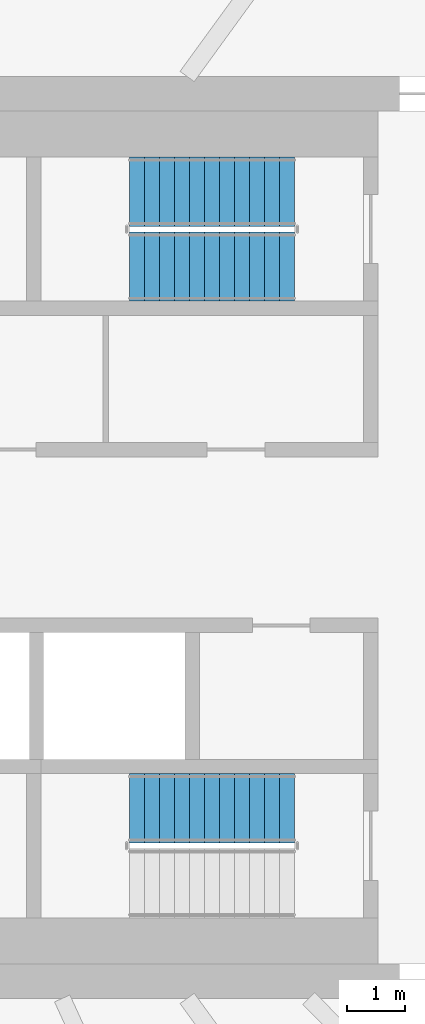
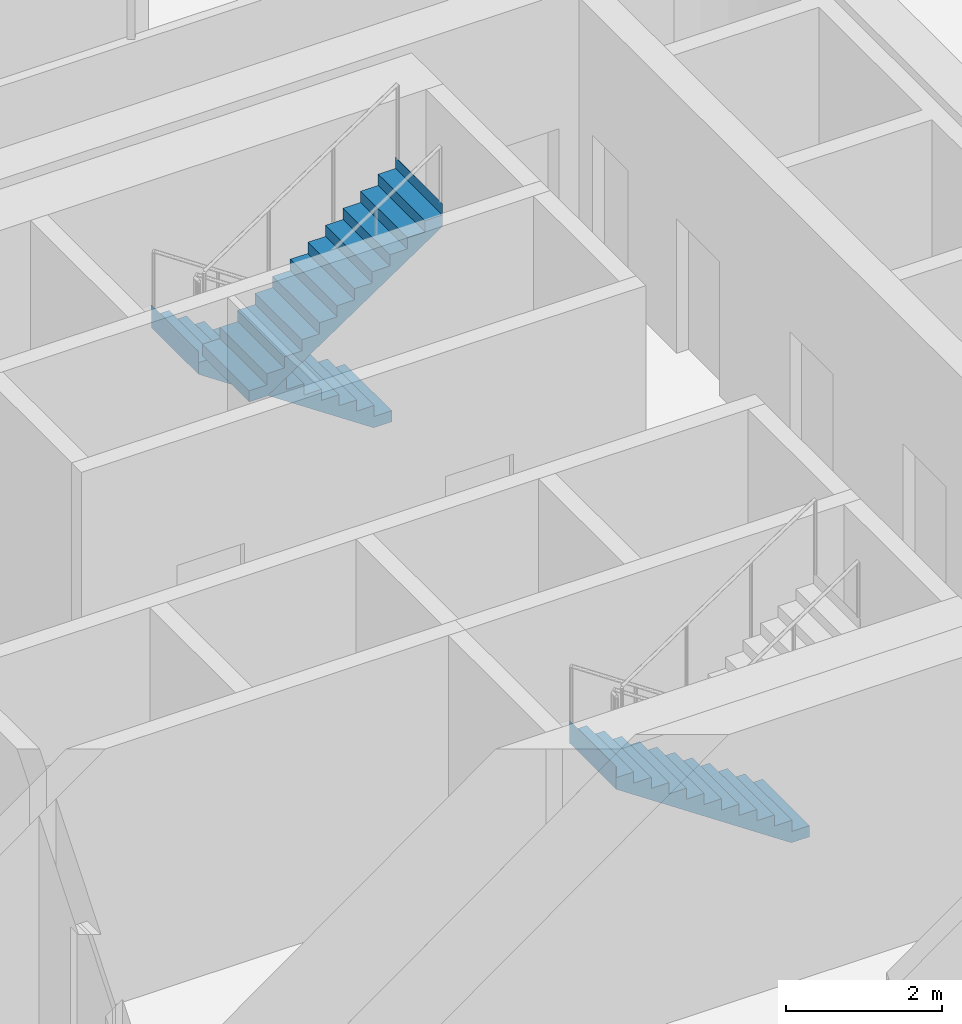
# One storey, part 18 of 25: 3 stair flights, 2 elements without a shape of their own.
"""IFC4 building model written with IfcOpenShell, lengths in metres."""

from ifc_helpers import new_model, si_unit, direction, frame, origin, place, context, subcontext, project, spatial, triangles, material, type_object, element, aggregate, save


model = new_model("IFC4")

# Units and contexts
model_context = context("Model", 3, precision=1e-05, world=origin(), true_north=direction((0.0, 1.0)))
body_context = subcontext(model_context, "Body", "Model", "MODEL_VIEW")
ifc_project = project(units=[si_unit("LENGTHUNIT", "METRE"), si_unit("AREAUNIT", "SQUARE_METRE"), si_unit("VOLUMEUNIT", "CUBIC_METRE"), si_unit("PLANEANGLEUNIT", "RADIAN"), si_unit("MASSUNIT", "GRAM", prefix="KILO")], contexts=[model_context])

# Site, building, storey
site_placement = place(None, origin())
site = spatial("IfcSite", under=ifc_project, at=site_placement, CompositionType="ELEMENT")
building_placement = place(site_placement, origin())
building = spatial("IfcBuilding", under=site, at=building_placement, Name="Sahrelin Media Tower", CompositionType="ELEMENT")
storey_placement = place(building_placement, frame((0.0, 0.0, 127.199951171875)))
storey = spatial("IfcBuildingStorey", under=building, at=storey_placement, Name="L25", CompositionType="ELEMENT", Elevation=127.199951171875)

# Stair, stair flights
ifc_material = material(Name="Concrete C40/50", Category="concrete")
stair_type = type_object("IfcStairType", Name="Exit stair 1200", PredefinedType="HALF_TURN_STAIR", material=ifc_material)
placement = place(storey_placement, origin())
stair_1 = element("IfcStair", 1, at=placement, inside=storey, type_object=stair_type, Name="L25 Exit stair ST3", PredefinedType="HALF_TURN_STAIR")
stair_flight_type = type_object("IfcStairFlightType", Name="Stair flight 1200", PredefinedType="STRAIGHT", material=ifc_material)
stair_flight_1_placement = place(storey_placement, frame((7.675048828125, 6.0, 0.0), z_axis=(0.0, 0.0, 1.0), x_axis=(-1.0, 0.0, 0.0)))
stair_flight_1 = element("IfcStairFlight", 2, at=stair_flight_1_placement, type_object=stair_flight_type, Name="ST3 flight 1", NumberOfRisers=12, NumberOfTreads=11, PredefinedType="STRAIGHT", RiserHeight=0.175, TreadLength=0.26, context=body_context, shape_type="Tessellation", body=[
    triangles([(0.2685546875, 0.60009765625, 0.0), (0.2685546875, 0.300048828125, 0.0), (0.2685546875, 0.0, 0.0), (0.2685546875, -0.300048828125, 0.0), (0.2685546875, -0.60009765625, 0.0), (2.860107421875, 0.60009765625, 1.744384765625), (2.860107421875, 0.300048828125, 1.744384765625), (2.860107421875, 0.0, 1.744384765625), (2.860107421875, -0.300048828125, 1.744384765625), (2.860107421875, -0.60009765625, 1.744384765625), (2.860107421875, 0.60009765625, 2.10009765625), (2.860107421875, 0.300048828125, 2.10009765625), (2.860107421875, 0.0, 2.10009765625), (2.860107421875, -0.300048828125, 2.10009765625), (2.860107421875, -0.60009765625, 2.10009765625), (2.85791015625, 0.60009765625, 2.10009765625), (2.85791015625, 0.300048828125, 2.10009765625), (2.85791015625, 0.0, 2.10009765625), (2.85791015625, -0.300048828125, 2.10009765625), (2.85791015625, -0.60009765625, 2.10009765625), (2.85791015625, 0.60009765625, 1.925048828125), (2.85791015625, 0.300048828125, 1.925048828125), (2.85791015625, 0.0, 1.925048828125), (2.85791015625, -0.300048828125, 1.925048828125), (2.85791015625, -0.60009765625, 1.925048828125), (2.60009765625, 0.60009765625, 1.925048828125), (2.60009765625, 0.300048828125, 1.925048828125), (2.60009765625, 0.0, 1.925048828125), (2.60009765625, -0.300048828125, 1.925048828125), (2.60009765625, -0.60009765625, 1.925048828125), (2.60009765625, 0.60009765625, 1.75), (2.60009765625, 0.300048828125, 1.75), (2.60009765625, 0.0, 1.75), (2.60009765625, -0.300048828125, 1.75), (2.60009765625, -0.60009765625, 1.75), (2.340087890625, 0.60009765625, 1.75), (2.340087890625, 0.300048828125, 1.75), (2.340087890625, 0.0, 1.75), (2.340087890625, -0.300048828125, 1.75), (2.340087890625, -0.60009765625, 1.75), (2.340087890625, 0.60009765625, 1.574951171875), (2.340087890625, 0.300048828125, 1.574951171875), (2.340087890625, 0.0, 1.574951171875), (2.340087890625, -0.300048828125, 1.574951171875), (2.340087890625, -0.60009765625, 1.574951171875), (2.080078125, 0.60009765625, 1.574951171875), (2.080078125, 0.300048828125, 1.574951171875), (2.080078125, 0.0, 1.574951171875), (2.080078125, -0.300048828125, 1.574951171875), (2.080078125, -0.60009765625, 1.574951171875), (2.080078125, 0.60009765625, 1.39990234375), (2.080078125, 0.300048828125, 1.39990234375), (2.080078125, 0.0, 1.39990234375), (2.080078125, -0.300048828125, 1.39990234375), (2.080078125, -0.60009765625, 1.39990234375), (1.820068359375, 0.60009765625, 1.39990234375), (1.820068359375, 0.300048828125, 1.39990234375), (1.820068359375, 0.0, 1.39990234375), (1.820068359375, -0.300048828125, 1.39990234375), (1.820068359375, -0.60009765625, 1.39990234375), (1.820068359375, 0.60009765625, 1.22509765625), (1.820068359375, 0.300048828125, 1.22509765625), (1.820068359375, 0.0, 1.22509765625), (1.820068359375, -0.300048828125, 1.22509765625), (1.820068359375, -0.60009765625, 1.22509765625), (1.56005859375, 0.60009765625, 1.22509765625), (1.56005859375, 0.300048828125, 1.22509765625), (1.56005859375, 0.0, 1.22509765625), (1.56005859375, -0.300048828125, 1.22509765625), (1.56005859375, -0.60009765625, 1.22509765625), (1.56005859375, 0.60009765625, 1.050048828125), (1.56005859375, 0.300048828125, 1.050048828125), (1.56005859375, 0.0, 1.050048828125), (1.56005859375, -0.300048828125, 1.050048828125), (1.56005859375, -0.60009765625, 1.050048828125), (1.300048828125, 0.60009765625, 1.050048828125), (1.300048828125, 0.300048828125, 1.050048828125), (1.300048828125, 0.0, 1.050048828125), (1.300048828125, -0.300048828125, 1.050048828125), (1.300048828125, -0.60009765625, 1.050048828125), (1.300048828125, 0.60009765625, 0.875), (1.300048828125, 0.300048828125, 0.875), (1.300048828125, 0.0, 0.875), (1.300048828125, -0.300048828125, 0.875), (1.300048828125, -0.60009765625, 0.875), (1.0400390625, 0.60009765625, 0.875), (1.0400390625, 0.300048828125, 0.875), (1.0400390625, 0.0, 0.875), (1.0400390625, -0.300048828125, 0.875), (1.0400390625, -0.60009765625, 0.875), (1.0400390625, 0.60009765625, 0.699951171875), (1.0400390625, 0.300048828125, 0.699951171875), (1.0400390625, 0.0, 0.699951171875), (1.0400390625, -0.300048828125, 0.699951171875), (1.0400390625, -0.60009765625, 0.699951171875), (0.780029296875, 0.60009765625, 0.699951171875), (0.780029296875, 0.300048828125, 0.699951171875), (0.780029296875, 0.0, 0.699951171875), (0.780029296875, -0.300048828125, 0.699951171875), (0.780029296875, -0.60009765625, 0.699951171875), (0.780029296875, 0.60009765625, 0.52490234375), (0.780029296875, 0.300048828125, 0.52490234375), (0.780029296875, 0.0, 0.52490234375), (0.780029296875, -0.300048828125, 0.52490234375), (0.780029296875, -0.60009765625, 0.52490234375), (0.52001953125, 0.60009765625, 0.52490234375), (0.52001953125, 0.300048828125, 0.52490234375), (0.52001953125, 0.0, 0.52490234375), (0.52001953125, -0.300048828125, 0.52490234375), (0.52001953125, -0.60009765625, 0.52490234375), (0.52001953125, 0.60009765625, 0.35009765625), (0.52001953125, 0.300048828125, 0.35009765625), (0.52001953125, 0.0, 0.35009765625), (0.52001953125, -0.300048828125, 0.35009765625), (0.52001953125, -0.60009765625, 0.35009765625), (0.260009765625, 0.60009765625, 0.35009765625), (0.260009765625, 0.300048828125, 0.35009765625), (0.260009765625, 0.0, 0.35009765625), (0.260009765625, -0.300048828125, 0.35009765625), (0.260009765625, -0.60009765625, 0.35009765625), (0.260009765625, 0.60009765625, 0.175048828125), (0.260009765625, 0.300048828125, 0.175048828125), (0.260009765625, 0.0, 0.175048828125), (0.260009765625, -0.300048828125, 0.175048828125), (0.260009765625, -0.60009765625, 0.175048828125), (0.0, 0.60009765625, 0.175048828125), (0.0, 0.300048828125, 0.175048828125), (0.0, 0.0, 0.175048828125), (0.0, -0.300048828125, 0.175048828125), (0.0, -0.60009765625, 0.175048828125), (0.0, 0.60009765625, 0.0), (0.0, 0.300048828125, 0.0), (0.0, 0.0, 0.0), (0.0, -0.300048828125, 0.0), (0.0, -0.60009765625, 0.0)], [[1, 6, 7], [1, 7, 2], [2, 7, 8], [2, 8, 3], [3, 8, 9], [3, 9, 4], [4, 9, 10], [4, 10, 5], [6, 11, 12], [6, 12, 7], [7, 12, 13], [7, 13, 8], [8, 13, 14], [8, 14, 9], [9, 14, 15], [9, 15, 10], [11, 16, 17], [11, 17, 12], [12, 17, 18], [12, 18, 13], [13, 18, 19], [13, 19, 14], [14, 19, 20], [14, 20, 15], [16, 21, 22], [16, 22, 17], [17, 22, 23], [17, 23, 18], [18, 23, 24], [18, 24, 19], [19, 24, 25], [19, 25, 20], [21, 26, 27], [21, 27, 22], [22, 27, 28], [22, 28, 23], [23, 28, 29], [23, 29, 24], [24, 29, 30], [24, 30, 25], [26, 31, 32], [26, 32, 27], [27, 32, 33], [27, 33, 28], [28, 33, 34], [28, 34, 29], [29, 34, 35], [29, 35, 30], [31, 36, 37], [31, 37, 32], [32, 37, 38], [32, 38, 33], [33, 38, 39], [33, 39, 34], [34, 39, 40], [34, 40, 35], [36, 41, 42], [36, 42, 37], [37, 42, 43], [37, 43, 38], [38, 43, 44], [38, 44, 39], [39, 44, 45], [39, 45, 40], [41, 46, 47], [41, 47, 42], [42, 47, 48], [42, 48, 43], [43, 48, 49], [43, 49, 44], [44, 49, 50], [44, 50, 45], [46, 51, 52], [46, 52, 47], [47, 52, 53], [47, 53, 48], [48, 53, 54], [48, 54, 49], [49, 54, 55], [49, 55, 50], [51, 56, 57], [51, 57, 52], [52, 57, 58], [52, 58, 53], [53, 58, 59], [53, 59, 54], [54, 59, 60], [54, 60, 55], [56, 61, 62], [56, 62, 57], [57, 62, 63], [57, 63, 58], [58, 63, 64], [58, 64, 59], [59, 64, 65], [59, 65, 60], [61, 66, 67], [61, 67, 62], [62, 67, 68], [62, 68, 63], [63, 68, 69], [63, 69, 64], [64, 69, 70], [64, 70, 65], [66, 71, 72], [66, 72, 67], [67, 72, 73], [67, 73, 68], [68, 73, 74], [68, 74, 69], [69, 74, 75], [69, 75, 70], [71, 76, 77], [71, 77, 72], [72, 77, 78], [72, 78, 73], [73, 78, 79], [73, 79, 74], [74, 79, 80], [74, 80, 75], [76, 81, 82], [76, 82, 77], [77, 82, 83], [77, 83, 78], [78, 83, 84], [78, 84, 79], [79, 84, 85], [79, 85, 80], [81, 86, 87], [81, 87, 82], [82, 87, 88], [82, 88, 83], [83, 88, 89], [83, 89, 84], [84, 89, 90], [84, 90, 85], [86, 91, 92], [86, 92, 87], [87, 92, 93], [87, 93, 88], [88, 93, 94], [88, 94, 89], [89, 94, 95], [89, 95, 90], [91, 96, 97], [91, 97, 92], [92, 97, 98], [92, 98, 93], [93, 98, 99], [93, 99, 94], [94, 99, 100], [94, 100, 95], [96, 101, 102], [96, 102, 97], [97, 102, 103], [97, 103, 98], [98, 103, 104], [98, 104, 99], [99, 104, 105], [99, 105, 100], [101, 106, 107], [101, 107, 102], [102, 107, 108], [102, 108, 103], [103, 108, 109], [103, 109, 104], [104, 109, 110], [104, 110, 105], [106, 111, 112], [106, 112, 107], [107, 112, 113], [107, 113, 108], [108, 113, 114], [108, 114, 109], [109, 114, 115], [109, 115, 110], [111, 116, 117], [111, 117, 112], [112, 117, 118], [112, 118, 113], [113, 118, 119], [113, 119, 114], [114, 119, 120], [114, 120, 115], [116, 121, 122], [116, 122, 117], [117, 122, 123], [117, 123, 118], [118, 123, 124], [118, 124, 119], [119, 124, 125], [119, 125, 120], [121, 126, 127], [121, 127, 122], [122, 127, 128], [122, 128, 123], [123, 128, 129], [123, 129, 124], [124, 129, 130], [124, 130, 125], [126, 131, 132], [126, 132, 127], [127, 132, 133], [127, 133, 128], [128, 133, 134], [128, 134, 129], [129, 134, 135], [129, 135, 130], [131, 1, 2], [131, 2, 132], [132, 2, 3], [132, 3, 133], [133, 3, 4], [133, 4, 134], [134, 4, 5], [134, 5, 135], [125, 130, 135], [121, 131, 126], [125, 115, 120], [121, 116, 111], [115, 105, 110], [111, 106, 101], [105, 95, 100], [101, 96, 91], [95, 85, 90], [91, 86, 81], [85, 75, 80], [81, 76, 71], [75, 65, 70], [71, 66, 61], [65, 55, 60], [61, 56, 51], [55, 45, 50], [51, 46, 41], [45, 35, 40], [41, 36, 31], [35, 25, 30], [31, 26, 21], [25, 15, 20], [21, 16, 11], [135, 5, 125], [131, 121, 1], [95, 105, 5], [91, 1, 101], [5, 10, 75], [1, 71, 6], [10, 35, 45], [6, 41, 31], [25, 10, 15], [21, 11, 6], [115, 125, 5], [111, 1, 121], [75, 85, 5], [71, 1, 81], [35, 10, 25], [31, 21, 6], [105, 115, 5], [101, 1, 111], [45, 55, 10], [41, 6, 51], [85, 95, 5], [81, 1, 91], [65, 10, 55], [61, 51, 6], [10, 65, 75], [6, 71, 61]], closed=True),
])
stair_flight_2_placement = place(storey_placement, frame((4.81494140625, 4.699951171875, 2.10009765625), z_axis=(0.0, 0.0, 1.0), x_axis=(1.0, 0.0, 0.0)))
stair_flight_2 = element("IfcStairFlight", 3, at=stair_flight_2_placement, type_object=stair_flight_type, Name="ST3 flight 2", NumberOfRisers=12, NumberOfTreads=11, PredefinedType="STRAIGHT", RiserHeight=0.175, TreadLength=0.26, context=body_context, shape_type="Tessellation", body=[
    triangles([(0.2685546875, 0.60009765625, 0.0), (0.2685546875, 0.300048828125, 0.0), (0.2685546875, 0.0, 0.0), (0.2685546875, -0.300048828125, 0.0), (0.2685546875, -0.60009765625, 0.0), (2.860107421875, 0.60009765625, 1.744384765625), (2.860107421875, 0.300048828125, 1.744384765625), (2.860107421875, 0.0, 1.744384765625), (2.860107421875, -0.300048828125, 1.744384765625), (2.860107421875, -0.60009765625, 1.744384765625), (2.860107421875, 0.60009765625, 2.10009765625), (2.860107421875, 0.300048828125, 2.10009765625), (2.860107421875, 0.0, 2.10009765625), (2.860107421875, -0.300048828125, 2.10009765625), (2.860107421875, -0.60009765625, 2.10009765625), (2.85791015625, 0.60009765625, 2.10009765625), (2.85791015625, 0.300048828125, 2.10009765625), (2.85791015625, 0.0, 2.10009765625), (2.85791015625, -0.300048828125, 2.10009765625), (2.85791015625, -0.60009765625, 2.10009765625), (2.85791015625, 0.60009765625, 1.925048828125), (2.85791015625, 0.300048828125, 1.925048828125), (2.85791015625, 0.0, 1.925048828125), (2.85791015625, -0.300048828125, 1.925048828125), (2.85791015625, -0.60009765625, 1.925048828125), (2.60009765625, 0.60009765625, 1.925048828125), (2.60009765625, 0.300048828125, 1.925048828125), (2.60009765625, 0.0, 1.925048828125), (2.60009765625, -0.300048828125, 1.925048828125), (2.60009765625, -0.60009765625, 1.925048828125), (2.60009765625, 0.60009765625, 1.75), (2.60009765625, 0.300048828125, 1.75), (2.60009765625, 0.0, 1.75), (2.60009765625, -0.300048828125, 1.75), (2.60009765625, -0.60009765625, 1.75), (2.340087890625, 0.60009765625, 1.75), (2.340087890625, 0.300048828125, 1.75), (2.340087890625, 0.0, 1.75), (2.340087890625, -0.300048828125, 1.75), (2.340087890625, -0.60009765625, 1.75), (2.340087890625, 0.60009765625, 1.574951171875), (2.340087890625, 0.300048828125, 1.574951171875), (2.340087890625, 0.0, 1.574951171875), (2.340087890625, -0.300048828125, 1.574951171875), (2.340087890625, -0.60009765625, 1.574951171875), (2.080078125, 0.60009765625, 1.574951171875), (2.080078125, 0.300048828125, 1.574951171875), (2.080078125, 0.0, 1.574951171875), (2.080078125, -0.300048828125, 1.574951171875), (2.080078125, -0.60009765625, 1.574951171875), (2.080078125, 0.60009765625, 1.39990234375), (2.080078125, 0.300048828125, 1.39990234375), (2.080078125, 0.0, 1.39990234375), (2.080078125, -0.300048828125, 1.39990234375), (2.080078125, -0.60009765625, 1.39990234375), (1.820068359375, 0.60009765625, 1.39990234375), (1.820068359375, 0.300048828125, 1.39990234375), (1.820068359375, 0.0, 1.39990234375), (1.820068359375, -0.300048828125, 1.39990234375), (1.820068359375, -0.60009765625, 1.39990234375), (1.820068359375, 0.60009765625, 1.22509765625), (1.820068359375, 0.300048828125, 1.22509765625), (1.820068359375, 0.0, 1.22509765625), (1.820068359375, -0.300048828125, 1.22509765625), (1.820068359375, -0.60009765625, 1.22509765625), (1.56005859375, 0.60009765625, 1.22509765625), (1.56005859375, 0.300048828125, 1.22509765625), (1.56005859375, 0.0, 1.22509765625), (1.56005859375, -0.300048828125, 1.22509765625), (1.56005859375, -0.60009765625, 1.22509765625), (1.56005859375, 0.60009765625, 1.050048828125), (1.56005859375, 0.300048828125, 1.050048828125), (1.56005859375, 0.0, 1.050048828125), (1.56005859375, -0.300048828125, 1.050048828125), (1.56005859375, -0.60009765625, 1.050048828125), (1.300048828125, 0.60009765625, 1.050048828125), (1.300048828125, 0.300048828125, 1.050048828125), (1.300048828125, 0.0, 1.050048828125), (1.300048828125, -0.300048828125, 1.050048828125), (1.300048828125, -0.60009765625, 1.050048828125), (1.300048828125, 0.60009765625, 0.875), (1.300048828125, 0.300048828125, 0.875), (1.300048828125, 0.0, 0.875), (1.300048828125, -0.300048828125, 0.875), (1.300048828125, -0.60009765625, 0.875), (1.0400390625, 0.60009765625, 0.875), (1.0400390625, 0.300048828125, 0.875), (1.0400390625, 0.0, 0.875), (1.0400390625, -0.300048828125, 0.875), (1.0400390625, -0.60009765625, 0.875), (1.0400390625, 0.60009765625, 0.699951171875), (1.0400390625, 0.300048828125, 0.699951171875), (1.0400390625, 0.0, 0.699951171875), (1.0400390625, -0.300048828125, 0.699951171875), (1.0400390625, -0.60009765625, 0.699951171875), (0.780029296875, 0.60009765625, 0.699951171875), (0.780029296875, 0.300048828125, 0.699951171875), (0.780029296875, 0.0, 0.699951171875), (0.780029296875, -0.300048828125, 0.699951171875), (0.780029296875, -0.60009765625, 0.699951171875), (0.780029296875, 0.60009765625, 0.52490234375), (0.780029296875, 0.300048828125, 0.52490234375), (0.780029296875, 0.0, 0.52490234375), (0.780029296875, -0.300048828125, 0.52490234375), (0.780029296875, -0.60009765625, 0.52490234375), (0.52001953125, 0.60009765625, 0.52490234375), (0.52001953125, 0.300048828125, 0.52490234375), (0.52001953125, 0.0, 0.52490234375), (0.52001953125, -0.300048828125, 0.52490234375), (0.52001953125, -0.60009765625, 0.52490234375), (0.52001953125, 0.60009765625, 0.35009765625), (0.52001953125, 0.300048828125, 0.35009765625), (0.52001953125, 0.0, 0.35009765625), (0.52001953125, -0.300048828125, 0.35009765625), (0.52001953125, -0.60009765625, 0.35009765625), (0.260009765625, 0.60009765625, 0.35009765625), (0.260009765625, 0.300048828125, 0.35009765625), (0.260009765625, 0.0, 0.35009765625), (0.260009765625, -0.300048828125, 0.35009765625), (0.260009765625, -0.60009765625, 0.35009765625), (0.260009765625, 0.60009765625, 0.175048828125), (0.260009765625, 0.300048828125, 0.175048828125), (0.260009765625, 0.0, 0.175048828125), (0.260009765625, -0.300048828125, 0.175048828125), (0.260009765625, -0.60009765625, 0.175048828125), (0.0, 0.60009765625, 0.175048828125), (0.0, 0.300048828125, 0.175048828125), (0.0, 0.0, 0.175048828125), (0.0, -0.300048828125, 0.175048828125), (0.0, -0.60009765625, 0.175048828125), (0.0, 0.60009765625, 0.0), (0.0, 0.300048828125, 0.0), (0.0, 0.0, 0.0), (0.0, -0.300048828125, 0.0), (0.0, -0.60009765625, 0.0)], [[1, 6, 7], [1, 7, 2], [2, 7, 8], [2, 8, 3], [3, 8, 9], [3, 9, 4], [4, 9, 10], [4, 10, 5], [6, 11, 12], [6, 12, 7], [7, 12, 13], [7, 13, 8], [8, 13, 14], [8, 14, 9], [9, 14, 15], [9, 15, 10], [11, 16, 17], [11, 17, 12], [12, 17, 18], [12, 18, 13], [13, 18, 19], [13, 19, 14], [14, 19, 20], [14, 20, 15], [16, 21, 22], [16, 22, 17], [17, 22, 23], [17, 23, 18], [18, 23, 24], [18, 24, 19], [19, 24, 25], [19, 25, 20], [21, 26, 27], [21, 27, 22], [22, 27, 28], [22, 28, 23], [23, 28, 29], [23, 29, 24], [24, 29, 30], [24, 30, 25], [26, 31, 32], [26, 32, 27], [27, 32, 33], [27, 33, 28], [28, 33, 34], [28, 34, 29], [29, 34, 35], [29, 35, 30], [31, 36, 37], [31, 37, 32], [32, 37, 38], [32, 38, 33], [33, 38, 39], [33, 39, 34], [34, 39, 40], [34, 40, 35], [36, 41, 42], [36, 42, 37], [37, 42, 43], [37, 43, 38], [38, 43, 44], [38, 44, 39], [39, 44, 45], [39, 45, 40], [41, 46, 47], [41, 47, 42], [42, 47, 48], [42, 48, 43], [43, 48, 49], [43, 49, 44], [44, 49, 50], [44, 50, 45], [46, 51, 52], [46, 52, 47], [47, 52, 53], [47, 53, 48], [48, 53, 54], [48, 54, 49], [49, 54, 55], [49, 55, 50], [51, 56, 57], [51, 57, 52], [52, 57, 58], [52, 58, 53], [53, 58, 59], [53, 59, 54], [54, 59, 60], [54, 60, 55], [56, 61, 62], [56, 62, 57], [57, 62, 63], [57, 63, 58], [58, 63, 64], [58, 64, 59], [59, 64, 65], [59, 65, 60], [61, 66, 67], [61, 67, 62], [62, 67, 68], [62, 68, 63], [63, 68, 69], [63, 69, 64], [64, 69, 70], [64, 70, 65], [66, 71, 72], [66, 72, 67], [67, 72, 73], [67, 73, 68], [68, 73, 74], [68, 74, 69], [69, 74, 75], [69, 75, 70], [71, 76, 77], [71, 77, 72], [72, 77, 78], [72, 78, 73], [73, 78, 79], [73, 79, 74], [74, 79, 80], [74, 80, 75], [76, 81, 82], [76, 82, 77], [77, 82, 83], [77, 83, 78], [78, 83, 84], [78, 84, 79], [79, 84, 85], [79, 85, 80], [81, 86, 87], [81, 87, 82], [82, 87, 88], [82, 88, 83], [83, 88, 89], [83, 89, 84], [84, 89, 90], [84, 90, 85], [86, 91, 92], [86, 92, 87], [87, 92, 93], [87, 93, 88], [88, 93, 94], [88, 94, 89], [89, 94, 95], [89, 95, 90], [91, 96, 97], [91, 97, 92], [92, 97, 98], [92, 98, 93], [93, 98, 99], [93, 99, 94], [94, 99, 100], [94, 100, 95], [96, 101, 102], [96, 102, 97], [97, 102, 103], [97, 103, 98], [98, 103, 104], [98, 104, 99], [99, 104, 105], [99, 105, 100], [101, 106, 107], [101, 107, 102], [102, 107, 108], [102, 108, 103], [103, 108, 109], [103, 109, 104], [104, 109, 110], [104, 110, 105], [106, 111, 112], [106, 112, 107], [107, 112, 113], [107, 113, 108], [108, 113, 114], [108, 114, 109], [109, 114, 115], [109, 115, 110], [111, 116, 117], [111, 117, 112], [112, 117, 118], [112, 118, 113], [113, 118, 119], [113, 119, 114], [114, 119, 120], [114, 120, 115], [116, 121, 122], [116, 122, 117], [117, 122, 123], [117, 123, 118], [118, 123, 124], [118, 124, 119], [119, 124, 125], [119, 125, 120], [121, 126, 127], [121, 127, 122], [122, 127, 128], [122, 128, 123], [123, 128, 129], [123, 129, 124], [124, 129, 130], [124, 130, 125], [126, 131, 132], [126, 132, 127], [127, 132, 133], [127, 133, 128], [128, 133, 134], [128, 134, 129], [129, 134, 135], [129, 135, 130], [131, 1, 2], [131, 2, 132], [132, 2, 3], [132, 3, 133], [133, 3, 4], [133, 4, 134], [134, 4, 5], [134, 5, 135], [125, 130, 135], [121, 131, 126], [125, 115, 120], [121, 116, 111], [115, 105, 110], [111, 106, 101], [105, 95, 100], [101, 96, 91], [95, 85, 90], [91, 86, 81], [85, 75, 80], [81, 76, 71], [75, 65, 70], [71, 66, 61], [65, 55, 60], [61, 56, 51], [55, 45, 50], [51, 46, 41], [45, 35, 40], [41, 36, 31], [35, 25, 30], [31, 26, 21], [25, 15, 20], [21, 16, 11], [135, 5, 125], [131, 121, 1], [95, 105, 5], [91, 1, 101], [5, 10, 75], [1, 71, 6], [10, 35, 45], [6, 41, 31], [25, 10, 15], [21, 11, 6], [115, 125, 5], [111, 1, 121], [75, 85, 5], [71, 1, 81], [35, 10, 25], [31, 21, 6], [105, 115, 5], [101, 1, 111], [45, 55, 10], [41, 6, 51], [85, 95, 5], [81, 1, 91], [65, 10, 55], [61, 51, 6], [10, 65, 75], [6, 71, 61]], closed=True),
])
aggregate(stair_1, [stair_flight_1, stair_flight_2])

# Stair, stair flight
stair_2 = element("IfcStair", 4, at=placement, inside=storey, type_object=stair_type, Name="L25 Exit stair ST2", PredefinedType="HALF_TURN_STAIR")
stair_flight_3_placement = place(storey_placement, frame((7.675048828125, -4.699951171875, 0.0), z_axis=(0.0, 0.0, 1.0), x_axis=(-1.0, 0.0, 0.0)))
stair_flight_3 = element("IfcStairFlight", 5, at=stair_flight_3_placement, type_object=stair_flight_type, Name="ST2 flight 1", NumberOfRisers=12, NumberOfTreads=11, PredefinedType="STRAIGHT", RiserHeight=0.175, TreadLength=0.26, context=body_context, shape_type="Tessellation", body=[
    triangles([(0.2685546875, 0.60009765625, 0.0), (0.2685546875, 0.300048828125, 0.0), (0.2685546875, 0.0, 0.0), (0.2685546875, -0.300048828125, 0.0), (0.2685546875, -0.60009765625, 0.0), (2.860107421875, 0.60009765625, 1.744384765625), (2.860107421875, 0.300048828125, 1.744384765625), (2.860107421875, 0.0, 1.744384765625), (2.860107421875, -0.300048828125, 1.744384765625), (2.860107421875, -0.60009765625, 1.744384765625), (2.860107421875, 0.60009765625, 2.10009765625), (2.860107421875, 0.300048828125, 2.10009765625), (2.860107421875, 0.0, 2.10009765625), (2.860107421875, -0.300048828125, 2.10009765625), (2.860107421875, -0.60009765625, 2.10009765625), (2.85791015625, 0.60009765625, 2.10009765625), (2.85791015625, 0.300048828125, 2.10009765625), (2.85791015625, 0.0, 2.10009765625), (2.85791015625, -0.300048828125, 2.10009765625), (2.85791015625, -0.60009765625, 2.10009765625), (2.85791015625, 0.60009765625, 1.925048828125), (2.85791015625, 0.300048828125, 1.925048828125), (2.85791015625, 0.0, 1.925048828125), (2.85791015625, -0.300048828125, 1.925048828125), (2.85791015625, -0.60009765625, 1.925048828125), (2.60009765625, 0.60009765625, 1.925048828125), (2.60009765625, 0.300048828125, 1.925048828125), (2.60009765625, 0.0, 1.925048828125), (2.60009765625, -0.300048828125, 1.925048828125), (2.60009765625, -0.60009765625, 1.925048828125), (2.60009765625, 0.60009765625, 1.75), (2.60009765625, 0.300048828125, 1.75), (2.60009765625, 0.0, 1.75), (2.60009765625, -0.300048828125, 1.75), (2.60009765625, -0.60009765625, 1.75), (2.340087890625, 0.60009765625, 1.75), (2.340087890625, 0.300048828125, 1.75), (2.340087890625, 0.0, 1.75), (2.340087890625, -0.300048828125, 1.75), (2.340087890625, -0.60009765625, 1.75), (2.340087890625, 0.60009765625, 1.574951171875), (2.340087890625, 0.300048828125, 1.574951171875), (2.340087890625, 0.0, 1.574951171875), (2.340087890625, -0.300048828125, 1.574951171875), (2.340087890625, -0.60009765625, 1.574951171875), (2.080078125, 0.60009765625, 1.574951171875), (2.080078125, 0.300048828125, 1.574951171875), (2.080078125, 0.0, 1.574951171875), (2.080078125, -0.300048828125, 1.574951171875), (2.080078125, -0.60009765625, 1.574951171875), (2.080078125, 0.60009765625, 1.39990234375), (2.080078125, 0.300048828125, 1.39990234375), (2.080078125, 0.0, 1.39990234375), (2.080078125, -0.300048828125, 1.39990234375), (2.080078125, -0.60009765625, 1.39990234375), (1.820068359375, 0.60009765625, 1.39990234375), (1.820068359375, 0.300048828125, 1.39990234375), (1.820068359375, 0.0, 1.39990234375), (1.820068359375, -0.300048828125, 1.39990234375), (1.820068359375, -0.60009765625, 1.39990234375), (1.820068359375, 0.60009765625, 1.22509765625), (1.820068359375, 0.300048828125, 1.22509765625), (1.820068359375, 0.0, 1.22509765625), (1.820068359375, -0.300048828125, 1.22509765625), (1.820068359375, -0.60009765625, 1.22509765625), (1.56005859375, 0.60009765625, 1.22509765625), (1.56005859375, 0.300048828125, 1.22509765625), (1.56005859375, 0.0, 1.22509765625), (1.56005859375, -0.300048828125, 1.22509765625), (1.56005859375, -0.60009765625, 1.22509765625), (1.56005859375, 0.60009765625, 1.050048828125), (1.56005859375, 0.300048828125, 1.050048828125), (1.56005859375, 0.0, 1.050048828125), (1.56005859375, -0.300048828125, 1.050048828125), (1.56005859375, -0.60009765625, 1.050048828125), (1.300048828125, 0.60009765625, 1.050048828125), (1.300048828125, 0.300048828125, 1.050048828125), (1.300048828125, 0.0, 1.050048828125), (1.300048828125, -0.300048828125, 1.050048828125), (1.300048828125, -0.60009765625, 1.050048828125), (1.300048828125, 0.60009765625, 0.875), (1.300048828125, 0.300048828125, 0.875), (1.300048828125, 0.0, 0.875), (1.300048828125, -0.300048828125, 0.875), (1.300048828125, -0.60009765625, 0.875), (1.0400390625, 0.60009765625, 0.875), (1.0400390625, 0.300048828125, 0.875), (1.0400390625, 0.0, 0.875), (1.0400390625, -0.300048828125, 0.875), (1.0400390625, -0.60009765625, 0.875), (1.0400390625, 0.60009765625, 0.699951171875), (1.0400390625, 0.300048828125, 0.699951171875), (1.0400390625, 0.0, 0.699951171875), (1.0400390625, -0.300048828125, 0.699951171875), (1.0400390625, -0.60009765625, 0.699951171875), (0.780029296875, 0.60009765625, 0.699951171875), (0.780029296875, 0.300048828125, 0.699951171875), (0.780029296875, 0.0, 0.699951171875), (0.780029296875, -0.300048828125, 0.699951171875), (0.780029296875, -0.60009765625, 0.699951171875), (0.780029296875, 0.60009765625, 0.52490234375), (0.780029296875, 0.300048828125, 0.52490234375), (0.780029296875, 0.0, 0.52490234375), (0.780029296875, -0.300048828125, 0.52490234375), (0.780029296875, -0.60009765625, 0.52490234375), (0.52001953125, 0.60009765625, 0.52490234375), (0.52001953125, 0.300048828125, 0.52490234375), (0.52001953125, 0.0, 0.52490234375), (0.52001953125, -0.300048828125, 0.52490234375), (0.52001953125, -0.60009765625, 0.52490234375), (0.52001953125, 0.60009765625, 0.35009765625), (0.52001953125, 0.300048828125, 0.35009765625), (0.52001953125, 0.0, 0.35009765625), (0.52001953125, -0.300048828125, 0.35009765625), (0.52001953125, -0.60009765625, 0.35009765625), (0.260009765625, 0.60009765625, 0.35009765625), (0.260009765625, 0.300048828125, 0.35009765625), (0.260009765625, 0.0, 0.35009765625), (0.260009765625, -0.300048828125, 0.35009765625), (0.260009765625, -0.60009765625, 0.35009765625), (0.260009765625, 0.60009765625, 0.175048828125), (0.260009765625, 0.300048828125, 0.175048828125), (0.260009765625, 0.0, 0.175048828125), (0.260009765625, -0.300048828125, 0.175048828125), (0.260009765625, -0.60009765625, 0.175048828125), (0.0, 0.60009765625, 0.175048828125), (0.0, 0.300048828125, 0.175048828125), (0.0, 0.0, 0.175048828125), (0.0, -0.300048828125, 0.175048828125), (0.0, -0.60009765625, 0.175048828125), (0.0, 0.60009765625, 0.0), (0.0, 0.300048828125, 0.0), (0.0, 0.0, 0.0), (0.0, -0.300048828125, 0.0), (0.0, -0.60009765625, 0.0)], [[1, 6, 7], [1, 7, 2], [2, 7, 8], [2, 8, 3], [3, 8, 9], [3, 9, 4], [4, 9, 10], [4, 10, 5], [6, 11, 12], [6, 12, 7], [7, 12, 13], [7, 13, 8], [8, 13, 14], [8, 14, 9], [9, 14, 15], [9, 15, 10], [11, 16, 17], [11, 17, 12], [12, 17, 18], [12, 18, 13], [13, 18, 19], [13, 19, 14], [14, 19, 20], [14, 20, 15], [16, 21, 22], [16, 22, 17], [17, 22, 23], [17, 23, 18], [18, 23, 24], [18, 24, 19], [19, 24, 25], [19, 25, 20], [21, 26, 27], [21, 27, 22], [22, 27, 28], [22, 28, 23], [23, 28, 29], [23, 29, 24], [24, 29, 30], [24, 30, 25], [26, 31, 32], [26, 32, 27], [27, 32, 33], [27, 33, 28], [28, 33, 34], [28, 34, 29], [29, 34, 35], [29, 35, 30], [31, 36, 37], [31, 37, 32], [32, 37, 38], [32, 38, 33], [33, 38, 39], [33, 39, 34], [34, 39, 40], [34, 40, 35], [36, 41, 42], [36, 42, 37], [37, 42, 43], [37, 43, 38], [38, 43, 44], [38, 44, 39], [39, 44, 45], [39, 45, 40], [41, 46, 47], [41, 47, 42], [42, 47, 48], [42, 48, 43], [43, 48, 49], [43, 49, 44], [44, 49, 50], [44, 50, 45], [46, 51, 52], [46, 52, 47], [47, 52, 53], [47, 53, 48], [48, 53, 54], [48, 54, 49], [49, 54, 55], [49, 55, 50], [51, 56, 57], [51, 57, 52], [52, 57, 58], [52, 58, 53], [53, 58, 59], [53, 59, 54], [54, 59, 60], [54, 60, 55], [56, 61, 62], [56, 62, 57], [57, 62, 63], [57, 63, 58], [58, 63, 64], [58, 64, 59], [59, 64, 65], [59, 65, 60], [61, 66, 67], [61, 67, 62], [62, 67, 68], [62, 68, 63], [63, 68, 69], [63, 69, 64], [64, 69, 70], [64, 70, 65], [66, 71, 72], [66, 72, 67], [67, 72, 73], [67, 73, 68], [68, 73, 74], [68, 74, 69], [69, 74, 75], [69, 75, 70], [71, 76, 77], [71, 77, 72], [72, 77, 78], [72, 78, 73], [73, 78, 79], [73, 79, 74], [74, 79, 80], [74, 80, 75], [76, 81, 82], [76, 82, 77], [77, 82, 83], [77, 83, 78], [78, 83, 84], [78, 84, 79], [79, 84, 85], [79, 85, 80], [81, 86, 87], [81, 87, 82], [82, 87, 88], [82, 88, 83], [83, 88, 89], [83, 89, 84], [84, 89, 90], [84, 90, 85], [86, 91, 92], [86, 92, 87], [87, 92, 93], [87, 93, 88], [88, 93, 94], [88, 94, 89], [89, 94, 95], [89, 95, 90], [91, 96, 97], [91, 97, 92], [92, 97, 98], [92, 98, 93], [93, 98, 99], [93, 99, 94], [94, 99, 100], [94, 100, 95], [96, 101, 102], [96, 102, 97], [97, 102, 103], [97, 103, 98], [98, 103, 104], [98, 104, 99], [99, 104, 105], [99, 105, 100], [101, 106, 107], [101, 107, 102], [102, 107, 108], [102, 108, 103], [103, 108, 109], [103, 109, 104], [104, 109, 110], [104, 110, 105], [106, 111, 112], [106, 112, 107], [107, 112, 113], [107, 113, 108], [108, 113, 114], [108, 114, 109], [109, 114, 115], [109, 115, 110], [111, 116, 117], [111, 117, 112], [112, 117, 118], [112, 118, 113], [113, 118, 119], [113, 119, 114], [114, 119, 120], [114, 120, 115], [116, 121, 122], [116, 122, 117], [117, 122, 123], [117, 123, 118], [118, 123, 124], [118, 124, 119], [119, 124, 125], [119, 125, 120], [121, 126, 127], [121, 127, 122], [122, 127, 128], [122, 128, 123], [123, 128, 129], [123, 129, 124], [124, 129, 130], [124, 130, 125], [126, 131, 132], [126, 132, 127], [127, 132, 133], [127, 133, 128], [128, 133, 134], [128, 134, 129], [129, 134, 135], [129, 135, 130], [131, 1, 2], [131, 2, 132], [132, 2, 3], [132, 3, 133], [133, 3, 4], [133, 4, 134], [134, 4, 5], [134, 5, 135], [125, 130, 135], [121, 131, 126], [125, 115, 120], [121, 116, 111], [115, 105, 110], [111, 106, 101], [105, 95, 100], [101, 96, 91], [95, 85, 90], [91, 86, 81], [85, 75, 80], [81, 76, 71], [75, 65, 70], [71, 66, 61], [65, 55, 60], [61, 56, 51], [55, 45, 50], [51, 46, 41], [45, 35, 40], [41, 36, 31], [35, 25, 30], [31, 26, 21], [25, 15, 20], [21, 16, 11], [135, 5, 125], [131, 121, 1], [95, 105, 5], [91, 1, 101], [5, 10, 75], [1, 71, 6], [10, 35, 45], [6, 41, 31], [25, 10, 15], [21, 11, 6], [115, 125, 5], [111, 1, 121], [75, 85, 5], [71, 1, 81], [35, 10, 25], [31, 21, 6], [105, 115, 5], [101, 1, 111], [45, 55, 10], [41, 6, 51], [85, 95, 5], [81, 1, 91], [65, 10, 55], [61, 51, 6], [10, 65, 75], [6, 71, 61]], closed=True),
])
aggregate(stair_2, [stair_flight_3])

save(model, "model.ifc")
